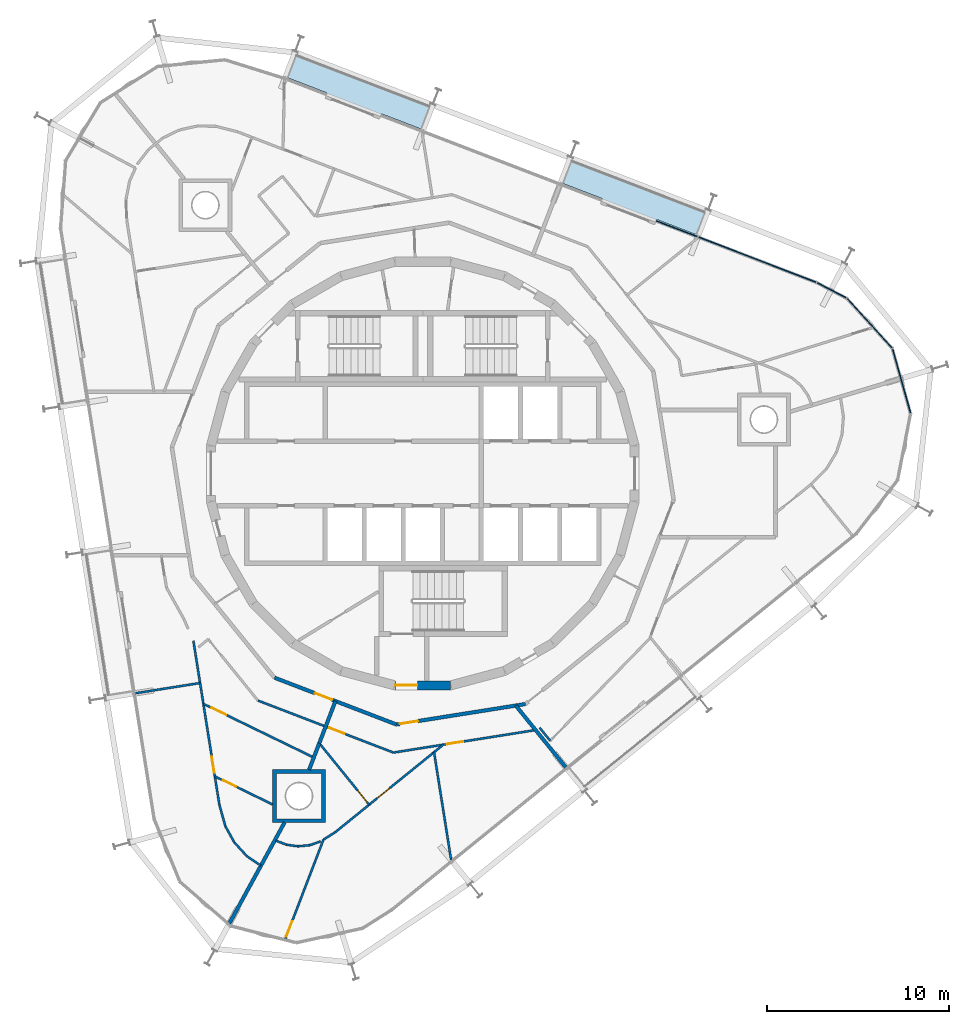
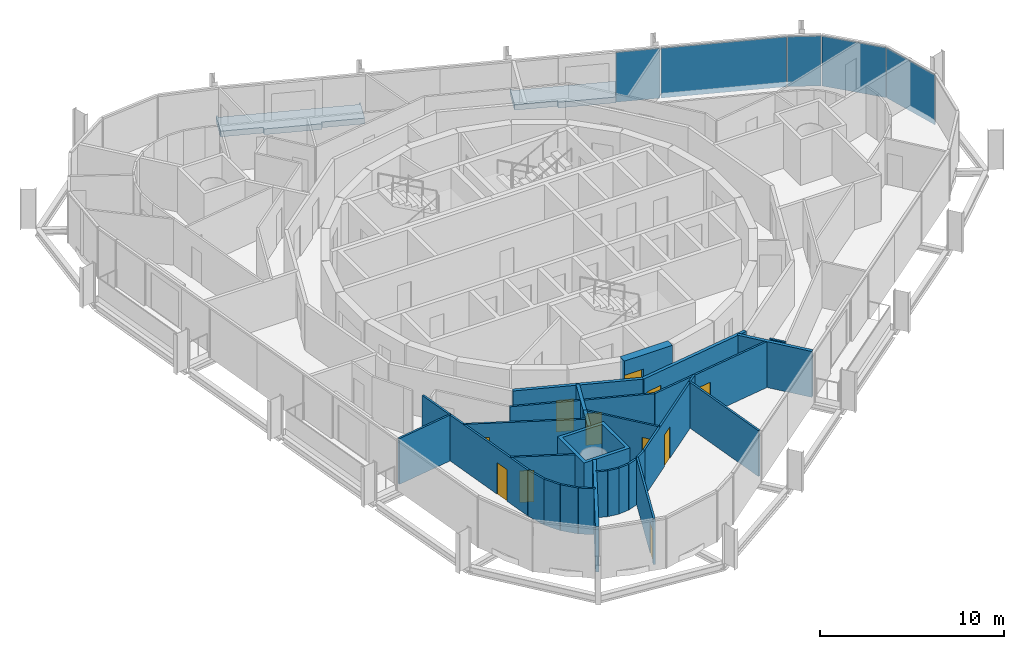
# One storey, part 11 of 17: 28 walls, 11 doors, 5 plates, 2 slabs, 11 openings, 2 elements without a shape of their own.
"""IFC4 building model written with IfcOpenShell, lengths in metres."""

import ifcopenshell
import ifcopenshell.guid

model = None  # the IFC model being written
_history = None  # IfcOwnerHistory: only IFC2X3 demands one
_inside = {}  # id of a spatial element -> (the spatial element, [elements in it])
_under = {}  # id of a project, library or spatial element -> (it, [spatial elements below it])
_declared = {}  # id of a project -> (the project, [libraries it declares])
_typed = {}  # id of a type object -> (the type object, [elements of that type])
_made_of = {}  # id of a material, layer set ... -> (it, [elements and type objects made of it])


def new_model(schema):
    """Start an empty IFC model of exactly this schema.

    Asked for "IFC4X3", IfcOpenShell would pick the latest addendum, in which some entities
    have other attributes; the version numbers below select the first issue.
    IFC2X3 requires an IfcOwnerHistory on every rooted entity: one is made here for all.
    """
    global model, _history
    if schema == "IFC4X3":
        model = ifcopenshell.file(schema_version=(4, 3, 0, 0))
    else:
        model = ifcopenshell.file(schema=schema)
    _inside.clear()
    _under.clear()
    _declared.clear()
    _typed.clear()
    _made_of.clear()
    _history = None
    if model.schema == "IFC2X3":
        org = make("IfcOrganization", Name="unknown")
        user = make(
            "IfcPersonAndOrganization",
            ThePerson=make("IfcPerson", FamilyName="unknown"),
            TheOrganization=org,
        )
        app = make(
            "IfcApplication",
            ApplicationDeveloper=org,
            Version="unknown",
            ApplicationFullName="unknown",
            ApplicationIdentifier="unknown",
        )
        _history = make(
            "IfcOwnerHistory",
            OwningUser=user,
            OwningApplication=app,
            ChangeAction="ADDED",
            CreationDate=0,
        )
    return model


def make(cls, **values):
    """One entity of the class cls with the attributes given. An attribute that is None is left unset."""
    return model.create_entity(
        cls, **{name: value for name, value in values.items() if value is not None}
    )


def rooted(cls, **values):
    """An entity with a GlobalId (a new one), such as an element, a storey or a relation."""
    return make(cls, GlobalId=ifcopenshell.guid.new(), OwnerHistory=_history, **values)


def si_unit(unit_type, name, prefix=None):
    """IfcSIUnit, for example si_unit("LENGTHUNIT", "METRE", prefix="MILLI")."""
    return make("IfcSIUnit", UnitType=unit_type, Prefix=prefix, Name=name)


def assignment(units):
    """IfcUnitAssignment: the units of a project."""
    return None if units is None else make("IfcUnitAssignment", Units=units)


def point(xyz):
    """IfcCartesianPoint."""
    return None if xyz is None else make("IfcCartesianPoint", Coordinates=xyz)


def direction(xyz):
    """IfcDirection."""
    return None if xyz is None else make("IfcDirection", DirectionRatios=xyz)


def frame(location, z_axis=None, x_axis=None):
    """IfcAxis2Placement3D, a coordinate frame: its origin and axes. An axis left out is left unset."""
    return make(
        "IfcAxis2Placement3D",
        Location=point(location),
        Axis=direction(z_axis),
        RefDirection=direction(x_axis),
    )


def frame_2d(location, x_axis=None):
    """IfcAxis2Placement2D, a coordinate frame in the plane: its origin and x axis."""
    return make(
        "IfcAxis2Placement2D", Location=point(location), RefDirection=direction(x_axis)
    )


def origin():
    """The frame at (0, 0, 0) with its axes left unset."""
    return frame((0.0, 0.0, 0.0))


def origin_2d():
    """The frame at (0, 0) in the plane with its x axis left unset."""
    return frame_2d((0.0, 0.0))


def place(relative_to, where):
    """IfcLocalPlacement: puts the frame where relative to a parent placement (None: the world)."""
    return make(
        "IfcLocalPlacement", PlacementRelTo=relative_to, RelativePlacement=where
    )


def context(
    kind, dimensions, precision=None, world=None, true_north=None, identifier=None
):
    """IfcGeometricRepresentationContext, for example the 3D "Model" context."""
    return make(
        "IfcGeometricRepresentationContext",
        ContextIdentifier=identifier,
        ContextType=kind,
        CoordinateSpaceDimension=dimensions,
        Precision=precision,
        WorldCoordinateSystem=world,
        TrueNorth=true_north,
    )


def subcontext(parent, identifier, kind, view, scale=None):
    """IfcGeometricRepresentationSubContext, for example "Body" below "Model"."""
    return make(
        "IfcGeometricRepresentationSubContext",
        ContextIdentifier=identifier,
        ContextType=kind,
        ParentContext=parent,
        TargetScale=scale,
        TargetView=view,
    )


def project(units=None, contexts=None):
    """IfcProject with its units and contexts."""
    return rooted(
        "IfcProject",
        Name="project",
        RepresentationContexts=contexts,
        UnitsInContext=assignment(units),
    )


def spatial(cls, under=None, at=None, **own):
    """A site, building, storey or space (cls), placed at a placement, below another one or the project."""
    s = rooted(cls, ObjectPlacement=at, **own)
    if under is not None:
        _under.setdefault(under.id(), (under, []))[1].append(s)
    return s


def polyline(points):
    """IfcPolyline through the points."""
    return make("IfcPolyline", Points=[point(p) for p in points])


def profile(cls, at=None, kind="AREA", **sizes):
    """A parametric profile (cls). Its sizes go by their IFC names, for example OverallWidth=200.0."""
    return make(cls, ProfileType=kind, Position=at, **sizes)


def rectangle(**sizes):
    """IfcRectangleProfileDef."""
    return profile("IfcRectangleProfileDef", **sizes)


def outline(outer, holes=None, kind="AREA"):
    """IfcArbitraryClosedProfileDef: a profile drawn as a closed curve; with holes, ...WithVoids."""
    if holes is None:
        return make("IfcArbitraryClosedProfileDef", ProfileType=kind, OuterCurve=outer)
    return make(
        "IfcArbitraryProfileDefWithVoids",
        ProfileType=kind,
        OuterCurve=outer,
        InnerCurves=holes,
    )


def extrude(swept, where, along, depth):
    """IfcExtrudedAreaSolid: the profile swept, set in the frame where, extruded along a direction by depth."""
    return make(
        "IfcExtrudedAreaSolid",
        SweptArea=swept,
        Position=where,
        ExtrudedDirection=direction(along),
        Depth=depth,
    )


def shape(context_of_items, identifier, shape_type, items):
    """IfcShapeRepresentation: the items that make up one representation, for example the "Body"."""
    return make(
        "IfcShapeRepresentation",
        ContextOfItems=context_of_items,
        RepresentationIdentifier=identifier,
        RepresentationType=shape_type,
        Items=items,
    )


def material(Name=None, Category=None):
    """IfcMaterial."""
    return make("IfcMaterial", Name=Name, Category=Category)


def layer(
    of_material, thickness, ventilated=None, Name=None, Category=None, Priority=None
):
    """IfcMaterialLayer: one layer of a wall or slab, of a material (None: an air gap)."""
    return make(
        "IfcMaterialLayer",
        Material=of_material,
        LayerThickness=thickness,
        IsVentilated=ventilated,
        Name=Name,
        Category=Category,
        Priority=Priority,
    )


def layer_set(layers, Name=None):
    """IfcMaterialLayerSet."""
    return make("IfcMaterialLayerSet", MaterialLayers=layers, LayerSetName=Name)


def made_of(thing, what):
    """Note that an element or type object is made of a material, layer set ...; save() writes the relation."""
    if what is not None:
        _made_of.setdefault(what.id(), (what, []))[1].append(thing)
    return thing


def type_object(cls, material=None, **own):
    """A type object (cls), such as IfcWallType, which elements share."""
    return made_of(rooted(cls, **own), material)


def element(
    cls,
    number,
    at=None,
    inside=None,
    cuts=None,
    type_object=None,
    material=None,
    context=None,
    identifier="Body",
    shape_type=None,
    held_by="IfcProductDefinitionShape",
    body=None,
    shapes=None,
    **own,
):
    """One element of the class cls, such as IfcWall. Its Tag is "e" and its number.

    at: its placement. inside: the storey or other place that contains it. cuts: it is an
    opening in that element (IfcRelVoidsElement). A single representation is given by context,
    identifier, shape_type and body (its items); several are given by shapes. held_by: the class
    of the entity that holds the representations. save() writes the other relations.
    """
    e = rooted(cls, Tag="e%d" % number, ObjectPlacement=at, **own)
    if body is not None:
        shapes = [shape(context, identifier, shape_type, body)]
    if shapes is not None:
        e.Representation = make(held_by, Representations=shapes)
    if inside is not None:
        _inside.setdefault(inside.id(), (inside, []))[1].append(e)
    if cuts is not None:
        rooted(
            "IfcRelVoidsElement", RelatingBuildingElement=cuts, RelatedOpeningElement=e
        )
    if type_object is not None:
        _typed.setdefault(type_object.id(), (type_object, []))[1].append(e)
    return made_of(e, material)


def fill(opening, filler):
    """IfcRelFillsElement: the door or window that sits in an opening."""
    return rooted(
        "IfcRelFillsElement",
        RelatingOpeningElement=opening,
        RelatedBuildingElement=filler,
    )


def aggregate(whole, parts):
    """IfcRelAggregates: a whole, such as a stair, and the parts it consists of."""
    return rooted("IfcRelAggregates", RelatingObject=whole, RelatedObjects=parts)


def save(model, path):
    """Write the relations noted so far, then the file.

    IfcRelAggregates (storeys below a building ...), IfcRelContainedInSpatialStructure (elements
    in a storey), IfcRelDefinesByType, IfcRelAssociatesMaterial and IfcRelDeclares: one each for
    every whole, place, type object, material and project.
    """
    for whole, parts in _under.values():
        aggregate(whole, parts)
    for where, things in _inside.values():
        rooted(
            "IfcRelContainedInSpatialStructure",
            RelatedElements=things,
            RelatingStructure=where,
        )
    for kind, things in _typed.values():
        rooted("IfcRelDefinesByType", RelatedObjects=things, RelatingType=kind)
    for what, things in _made_of.values():
        rooted("IfcRelAssociatesMaterial", RelatedObjects=things, RelatingMaterial=what)
    for by, libraries in _declared.values():
        rooted("IfcRelDeclares", RelatingContext=by, RelatedDefinitions=libraries)
    model.write(path)


model = new_model("IFC4")

# Units and contexts
model_context = context("Model", 3, precision=1e-05, world=origin(), true_north=direction((0.0, 1.0)))
body_context = subcontext(model_context, "Body", "Model", "MODEL_VIEW")
ifc_project = project(units=[si_unit("LENGTHUNIT", "METRE"), si_unit("AREAUNIT", "SQUARE_METRE"), si_unit("VOLUMEUNIT", "CUBIC_METRE"), si_unit("PLANEANGLEUNIT", "RADIAN"), si_unit("MASSUNIT", "GRAM", prefix="KILO")], contexts=[model_context])

# Site, building, storey
site_placement = place(None, origin())
site = spatial("IfcSite", under=ifc_project, at=site_placement, CompositionType="ELEMENT")
building_placement = place(site_placement, origin())
building = spatial("IfcBuilding", under=site, at=building_placement, Name="Spindle Arch Residences", CompositionType="ELEMENT")
storey_placement = place(building_placement, frame((0.0, 0.0, 287.89990234375)))
storey = spatial("IfcBuildingStorey", under=building, at=storey_placement, Name="L74", CompositionType="ELEMENT", Elevation=287.89990234375)

# Slabs
ifc_material_1 = material(Name="Concrete C40/50", Category="concrete")
ifc_layer_1 = layer(ifc_material_1, 0.3798828125)
ifc_layer_set_1 = layer_set([ifc_layer_1], Name="Balcony slab 380")
slab_type = type_object("IfcSlabType", Name="Balcony slab 380", PredefinedType="FLOOR", material=ifc_layer_set_1)
slab_1_placement = place(storey_placement, frame((0.0, 0.0, -0.3798828125)))
element("IfcSlab", 1, at=slab_1_placement, inside=storey, type_object=slab_type, Name="Balcony L74 bay 6", PredefinedType="FLOOR", context=body_context, shape_type="SweptSolid", body=[
    extrude(outline(polyline([(15.6220703125, 14.511962890625), (15.552001953125, 14.538818359375), (15.498291015625, 14.39892578125), (8.209228515625, 17.19677734375), (8.26318359375, 17.3369140625), (8.193115234375, 17.36376953125), (7.6591796875, 15.97265625), (9.8798828125, 15.120361328125), (9.822509765625, 14.970947265625), (12.81005859375, 13.823974609375), (12.867431640625, 13.973388671875), (15.088134765625, 13.12109375), (15.6220703125, 14.511962890625)])), origin(), (0.0, 0.0, 1.0), 0.3798828125),
])
slab_2_placement = place(storey_placement, frame((0.0, 0.0, -0.3798828125)))
element("IfcSlab", 2, at=slab_2_placement, inside=storey, type_object=slab_type, Name="Balcony L74 bay 8", PredefinedType="FLOOR", context=body_context, shape_type="SweptSolid", body=[
    extrude(outline(polyline([(0.48388671875, 20.322998046875), (0.413818359375, 20.349853515625), (0.360107421875, 20.2099609375), (-6.928955078125, 23.0078125), (-6.875, 23.14794921875), (-6.945068359375, 23.1748046875), (-7.47900390625, 21.78369140625), (-5.25830078125, 20.93115234375), (-5.315673828125, 20.781982421875), (-2.328125, 19.635009765625), (-2.270751953125, 19.784423828125), (-0.050048828125, 18.931884765625), (0.48388671875, 20.322998046875)])), origin(), (0.0, 0.0, 1.0), 0.3798828125),
])

# Curtain wall, plates
ifc_material_2 = material(Name="Aluminium bronze unitised frame with tinted glass", Category="aluminium")
ifc_layer_2 = layer(ifc_material_2, 0.159912109375)
ifc_layer_set_2 = layer_set([ifc_layer_2], Name="CW-D corner wall on the fillet arcs")
curtain_wall_type_1 = type_object("IfcCurtainWallType", Name="CW-D corner wall on the fillet arcs", PredefinedType="NOTDEFINED", material=ifc_layer_set_2)
curtain_wall_1_placement = place(storey_placement, origin())
curtain_wall_1 = element("IfcCurtainWall", 3, at=curtain_wall_1_placement, inside=storey, type_object=curtain_wall_type_1, Name="CW-D L74 run 1", PredefinedType="NOTDEFINED")
ifc_material_3 = material(Name="Tinted double glazing over aluminium faced non-combustible spandrel zone (K0)", Category="aluminium")
ifc_layer_3 = layer(ifc_material_3, 0.06005859375)
ifc_layer_set_3 = layer_set([ifc_layer_3], Name="Unitised glass panel with E 60 spandrel zone")
plate_type = type_object("IfcPlateType", Name="Unitised glass panel with E 60 spandrel zone", PredefinedType="CURTAIN_PANEL", material=ifc_layer_set_3)
plate_1_placement = place(storey_placement, frame((26.32958984375, 5.09423828125, -0.3798828125), z_axis=(0.0, 0.0, 1.0), x_axis=(-0.270040328007, 0.962849012696, 0.0)))
plate_1 = element("IfcPlate", 4, at=plate_1_placement, type_object=plate_type, Name="CW-D unit 03", PredefinedType="CURTAIN_PANEL", context=body_context, shape_type="SweptSolid", body=[
    extrude(rectangle(XDim=3.666748046875, YDim=0.06005859375, at=origin_2d()), origin(), (0.0, 0.0, 1.0), 3.31005859375),
])
plate_2_placement = place(storey_placement, frame((24.571533203125, 8.265869140625, -0.3798828125), z_axis=(0.0, 0.0, 1.0), x_axis=(-0.673442702134, 0.73923942464, 0.0)))
plate_2 = element("IfcPlate", 5, at=plate_2_placement, type_object=plate_type, Name="CW-D unit 04", PredefinedType="CURTAIN_PANEL", context=body_context, shape_type="SweptSolid", body=[
    extrude(rectangle(XDim=3.666748046875, YDim=0.06005859375, at=origin_2d()), origin(), (0.0, 0.0, 1.0), 3.31005859375),
])
plate_3_placement = place(storey_placement, frame((22.48583984375, 10.078857421875, -0.3798828125), z_axis=(0.0, 0.0, 1.0), x_axis=(-0.885663912754, 0.464326860783, 0.0)))
plate_3 = element("IfcPlate", 6, at=plate_3_placement, type_object=plate_type, Name="CW-D unit 05", PredefinedType="CURTAIN_PANEL", context=body_context, shape_type="SweptSolid", body=[
    extrude(rectangle(XDim=1.816162109375, YDim=0.06005859375, at=origin_2d()), origin(), (0.0, 0.0, 1.0), 3.31005859375),
])
plate_4_placement = place(storey_placement, frame((18.392333984375, 11.76708984375, -0.3798828125), z_axis=(0.0, 0.0, 1.0), x_axis=(-0.933580426497, 0.358367949545, 0.0)))
plate_4 = element("IfcPlate", 7, at=plate_4_placement, type_object=plate_type, Name="CW-D unit 06", PredefinedType="CURTAIN_PANEL", context=body_context, shape_type="SweptSolid", body=[
    extrude(rectangle(XDim=6.9296875, YDim=0.06005859375, at=origin_2d()), origin(), (0.0, 0.0, 1.0), 3.31005859375),
])
aggregate(curtain_wall_1, [plate_1, plate_2, plate_3, plate_4])

# Curtain wall, plate
ifc_material_4 = material(Name="Aluminium bronze unitised frame with tinted glass", Category="aluminium")
ifc_layer_4 = layer(ifc_material_4, 0.159912109375)
ifc_layer_set_4 = layer_set([ifc_layer_4], Name="CW-C typical residential unitised wall")
curtain_wall_type_2 = type_object("IfcCurtainWallType", Name="CW-C typical residential unitised wall", PredefinedType="NOTDEFINED", material=ifc_layer_set_4)
curtain_wall_2_placement = place(storey_placement, origin())
curtain_wall_2 = element("IfcCurtainWall", 8, at=curtain_wall_2_placement, inside=storey, type_object=curtain_wall_type_2, Name="CW-C L74 run 2", PredefinedType="NOTDEFINED")
plate_5_placement = place(storey_placement, frame((13.969970703125, 13.46435546875, -0.3798828125), z_axis=(0.0, 0.0, 1.0), x_axis=(-0.933580426497, 0.358367949545, 0.0)))
plate_5 = element("IfcPlate", 9, at=plate_5_placement, type_object=plate_type, Name="CW-C unit 05L", PredefinedType="CURTAIN_PANEL", context=body_context, shape_type="SweptSolid", body=[
    extrude(rectangle(XDim=2.423828125, YDim=0.06005859375, at=origin_2d()), origin(), (0.0, 0.0, 1.0), 3.31005859375),
])
aggregate(curtain_wall_2, [plate_5])

# Wall, opening, door
ifc_material_5 = material(Name="Concrete C50/60", Category="concrete")
ifc_layer_5 = layer(ifc_material_5, 0.5)
ifc_layer_set_5 = layer_set([ifc_layer_5], Name="Core outline wall 500")
wall_type_1 = type_object("IfcWallType", Name="Core outline wall 500", PredefinedType="SHEAR", material=ifc_layer_set_5)
wall_1_placement = place(storey_placement, frame((-1.516357421875, -11.647216796875, 0.0), z_axis=(0.0, 0.0, 1.0), x_axis=(1.0, 0.0, 0.0)))
wall_1 = element("IfcWall", 10, at=wall_1_placement, inside=storey, type_object=wall_type_1, Name="Core outline wall 24", PredefinedType="SHEAR", context=body_context, shape_type="SweptSolid", body=[
    extrude(rectangle(XDim=3.03271484375, YDim=0.5, at=frame_2d((1.516357421875, 0.0))), origin(), (0.0, 0.0, 1.0), 3.050048828125),
])
opening_1_placement = place(wall_1_placement, frame((0.016357421875, 0.0, 0.0)))
opening_1 = element("IfcOpeningElement", 11, at=opening_1_placement, cuts=wall_1, Name="Opening R7C1-AD03", PredefinedType="OPENING", context=body_context, shape_type="SweptSolid", body=[
    extrude(rectangle(XDim=1.199951171875, YDim=2.10009765625, at=frame_2d((0.60009765625, 1.050048828125))), frame((0.0, 0.260009765625, 0.0), z_axis=(0.0, -1.0, 0.0), x_axis=(1.0, 0.0, 0.0)), (0.0, 0.0, 1.0), 0.52001953125),
])
ifc_material_6 = material(Name="Steel, fire-resisting door", Category="steel")
door_type_1 = type_object("IfcDoorType", Name="Stair airlock door 1200x2100", OperationType="SINGLE_SWING_LEFT", PredefinedType="DOOR", material=ifc_material_6)
door_1_placement = place(opening_1_placement, origin())
door_1 = element("IfcDoor", 12, at=door_1_placement, inside=storey, type_object=door_type_1, Name="Stair airlock door R7C1-AD03", OperationType="SINGLE_SWING_RIGHT", OverallHeight=2.10009765625, OverallWidth=1.199951171875, PredefinedType="DOOR", context=body_context, shape_type="SweptSolid", body=[
    extrude(rectangle(XDim=1.199951171875, YDim=2.10009765625, at=frame_2d((0.60009765625, 1.050048828125))), frame((0.0, 0.02490234375, 0.0), z_axis=(0.0, -1.0, 0.0), x_axis=(1.0, 0.0, 0.0)), (0.0, 0.0, 1.0), 0.050048828125),
])
fill(opening_1, door_1)

ifc_material_7 = material(Name="Calcium silicate block, plastered")
ifc_layer_6 = layer(ifc_material_7, 0.199951171875)
ifc_layer_set_6 = layer_set([ifc_layer_6], Name="Corridor wall 200")
wall_type_2 = type_object("IfcWallType", Name="Corridor wall 200", PredefinedType="STANDARD", material=ifc_layer_set_6)
wall_2_placement = place(storey_placement, frame((-8.154296875, -11.223388671875, 0.0), z_axis=(0.0, 0.0, 1.0), x_axis=(0.93359073609, -0.358341090983, 0.0)))
wall_2 = element("IfcWall", 13, at=wall_2_placement, inside=storey, type_object=wall_type_2, Name="Corridor wall R7C1-W013", PredefinedType="STANDARD", context=body_context, shape_type="SweptSolid", body=[
    extrude(rectangle(XDim=7.180908203125, YDim=0.199951171875, at=frame_2d((3.59033203125, 0.0))), origin(), (0.0, 0.0, 1.0), 3.050048828125),
])
opening_2_placement = place(wall_2_placement, frame((2.390380859375, 0.0, 0.0)))
opening_2 = element("IfcOpeningElement", 14, at=opening_2_placement, cuts=wall_2, Name="Opening R7C1-FD04", PredefinedType="OPENING", context=body_context, shape_type="SweptSolid", body=[
    extrude(rectangle(XDim=1.0, YDim=2.10009765625, at=frame_2d((0.5, 1.050048828125))), frame((0.0, 0.10986328125, 0.0), z_axis=(0.0, -1.0, 0.0), x_axis=(1.0, 0.0, 0.0)), (0.0, 0.0, 1.0), 0.219970703125),
])
ifc_material_8 = material(Name="Timber, fire-resisting door set", Category="wood")
door_type_2 = type_object("IfcDoorType", Name="Flat entrance door 1000x2100", OperationType="NOTDEFINED", PredefinedType="DOOR", material=ifc_material_8)
door_2_placement = place(opening_2_placement, origin())
door_2 = element("IfcDoor", 15, at=door_2_placement, inside=storey, type_object=door_type_2, Name="Flat entrance door R7C1-FD04", OperationType="SINGLE_SWING_RIGHT", OverallHeight=2.10009765625, OverallWidth=1.0, PredefinedType="DOOR", context=body_context, shape_type="SweptSolid", body=[
    extrude(rectangle(XDim=1.0, YDim=2.10009765625, at=frame_2d((0.5, 1.050048828125))), frame((0.0, 0.02490234375, 0.0), z_axis=(0.0, -1.0, 0.0), x_axis=(1.0, 0.0, 0.0)), (0.0, 0.0, 1.0), 0.050048828125),
])
fill(opening_2, door_2)

wall_3_placement = place(storey_placement, frame((-1.4501953125, -13.796630859375, 0.0), z_axis=(0.0, 0.0, 1.0), x_axis=(0.987690361611, 0.156421704315, 0.0)))
wall_3 = element("IfcWall", 16, at=wall_3_placement, inside=storey, type_object=wall_type_2, Name="Corridor wall R7C1-W014", PredefinedType="STANDARD", context=body_context, shape_type="SweptSolid", body=[
    extrude(rectangle(XDim=7.18115234375, YDim=0.199951171875, at=frame_2d((3.590576171875, 0.0))), origin(), (0.0, 0.0, 1.0), 3.050048828125),
])
opening_3_placement = place(wall_3_placement, frame((0.199951171875, 0.0, 0.0)))
opening_3 = element("IfcOpeningElement", 17, at=opening_3_placement, cuts=wall_3, Name="Opening R7C1-FD05", PredefinedType="OPENING", context=body_context, shape_type="SweptSolid", body=[
    extrude(rectangle(XDim=1.0, YDim=2.10009765625, at=frame_2d((0.5, 1.050048828125))), frame((0.0, 0.10986328125, 0.0), z_axis=(0.0, -1.0, 0.0), x_axis=(1.0, 0.0, 0.0)), (0.0, 0.0, 1.0), 0.219970703125),
])
door_3_placement = place(opening_3_placement, origin())
door_3 = element("IfcDoor", 18, at=door_3_placement, inside=storey, type_object=door_type_2, Name="Flat entrance door R7C1-FD05", OperationType="SINGLE_SWING_LEFT", OverallHeight=2.10009765625, OverallWidth=1.0, PredefinedType="DOOR", context=body_context, shape_type="SweptSolid", body=[
    extrude(rectangle(XDim=1.0, YDim=2.10009765625, at=frame_2d((0.5, 1.050048828125))), frame((0.0, 0.02490234375, 0.0), z_axis=(0.0, -1.0, 0.0), x_axis=(1.0, 0.0, 0.0)), (0.0, 0.0, 1.0), 0.050048828125),
])
fill(opening_3, door_3)

ifc_material_9 = material(Name="Plasterboard on steel studs", Category="steel")
ifc_layer_7 = layer(ifc_material_9, 0.1201171875)
ifc_layer_set_7 = layer_set([ifc_layer_7], Name="Flat partition 120")
wall_type_3 = type_object("IfcWallType", Name="Flat partition 120", PredefinedType="PARTITIONING", material=ifc_layer_set_7)
wall_4_placement = place(storey_placement, frame((-9.06689453125, -12.4794921875, 0.0), z_axis=(0.0, 0.0, 1.0), x_axis=(0.933579449035, -0.358370495911, 0.0)))
wall_4 = element("IfcWall", 19, at=wall_4_placement, inside=storey, type_object=wall_type_3, Name="Flat partition R7C1-W072", PredefinedType="PARTITIONING", context=body_context, shape_type="SweptSolid", body=[
    extrude(rectangle(XDim=7.98486328125, YDim=0.1201171875, at=frame_2d((3.992431640625, 0.0))), origin(), (0.0, 0.0, 1.0), 3.050048828125),
])
opening_4_placement = place(wall_4_placement, frame((4.1923828125, 0.0, 0.0)))
opening_4 = element("IfcOpeningElement", 20, at=opening_4_placement, cuts=wall_4, Name="Opening R7C1-ID17", PredefinedType="OPENING", context=body_context, shape_type="SweptSolid", body=[
    extrude(rectangle(XDim=0.89990234375, YDim=2.10009765625, at=frame_2d((0.449951171875, 1.050048828125))), frame((0.0, 0.070068359375, 0.0), z_axis=(0.0, -1.0, 0.0), x_axis=(1.0, 0.0, 0.0)), (0.0, 0.0, 1.0), 0.14013671875),
])
ifc_material_10 = material(Name="Timber door set", Category="wood")
door_type_3 = type_object("IfcDoorType", Name="Room door 900x2100", OperationType="NOTDEFINED", PredefinedType="DOOR", material=ifc_material_10)
door_4_placement = place(opening_4_placement, origin())
door_4 = element("IfcDoor", 21, at=door_4_placement, inside=storey, type_object=door_type_3, Name="Room door R7C1-ID17", OperationType="SINGLE_SWING_RIGHT", OverallHeight=2.10009765625, OverallWidth=0.89990234375, PredefinedType="DOOR", context=body_context, shape_type="SweptSolid", body=[
    extrude(rectangle(XDim=0.89990234375, YDim=2.10009765625, at=frame_2d((0.449951171875, 1.050048828125))), frame((0.0, 0.02490234375, 0.0), z_axis=(0.0, -1.0, 0.0), x_axis=(1.0, 0.0, 0.0)), (0.0, 0.0, 1.0), 0.050048828125),
])
fill(opening_4, door_4)

wall_5_placement = place(storey_placement, frame((-11.185302734375, -18.212890625, 0.0), z_axis=(0.0, 0.0, 1.0), x_axis=(-0.15642108221, 0.987690460134, 0.0)))
wall_5 = element("IfcWall", 22, at=wall_5_placement, inside=storey, type_object=wall_type_3, Name="Flat partition R7C1-W073", PredefinedType="PARTITIONING", context=body_context, shape_type="SweptSolid", body=[
    extrude(rectangle(XDim=9.132080078125, YDim=0.1201171875, at=frame_2d((4.56591796875, 0.0))), origin(), (0.0, 0.0, 1.0), 3.050048828125),
])
opening_5_placement = place(wall_5_placement, frame((1.781005859375, 0.0, 0.0)))
opening_5 = element("IfcOpeningElement", 23, at=opening_5_placement, cuts=wall_5, Name="Opening R7C1-ID16", PredefinedType="OPENING", context=body_context, shape_type="SweptSolid", body=[
    extrude(rectangle(XDim=0.89990234375, YDim=2.10009765625, at=frame_2d((0.449951171875, 1.050048828125))), frame((0.0, 0.070068359375, 0.0), z_axis=(0.0, -1.0, 0.0), x_axis=(1.0, 0.0, 0.0)), (0.0, 0.0, 1.0), 0.14013671875),
])
door_5_placement = place(opening_5_placement, origin())
door_5 = element("IfcDoor", 24, at=door_5_placement, inside=storey, type_object=door_type_3, Name="Room door R7C1-ID16", OperationType="SINGLE_SWING_RIGHT", OverallHeight=2.10009765625, OverallWidth=0.89990234375, PredefinedType="DOOR", context=body_context, shape_type="SweptSolid", body=[
    extrude(rectangle(XDim=0.89990234375, YDim=2.10009765625, at=frame_2d((0.449951171875, 1.050048828125))), frame((0.0, 0.02490234375, 0.0), z_axis=(0.0, -1.0, 0.0), x_axis=(1.0, 0.0, 0.0)), (0.0, 0.0, 1.0), 0.050048828125),
])
fill(opening_5, door_5)

# Wall
wall_6_placement = place(storey_placement, frame((-15.801513671875, -12.07958984375, 0.0), z_axis=(0.0, 0.0, 1.0), x_axis=(0.987685312069, 0.156453585206, 0.0)))
element("IfcWall", 25, at=wall_6_placement, inside=storey, type_object=wall_type_3, Name="Flat partition R7C1-W074", PredefinedType="PARTITIONING", context=body_context, shape_type="SweptSolid", body=[
    extrude(rectangle(XDim=3.60009765625, YDim=0.1201171875, at=frame_2d((1.800048828125, 0.0))), origin(), (0.0, 0.0, 1.0), 3.050048828125),
])

# Wall, opening, door
wall_7_placement = place(storey_placement, frame((-12.064453125, -12.662109375, 0.0), z_axis=(0.0, 0.0, 1.0), x_axis=(0.899383852228, -0.437159794985, 0.0)))
wall_7 = element("IfcWall", 26, at=wall_7_placement, inside=storey, type_object=wall_type_3, Name="Flat partition R7C1-W075", PredefinedType="PARTITIONING", context=body_context, shape_type="SweptSolid", body=[
    extrude(rectangle(XDim=6.750244140625, YDim=0.1201171875, at=frame_2d((3.375, 0.0))), origin(), (0.0, 0.0, 1.0), 3.050048828125),
])
opening_6_placement = place(wall_7_placement, frame((0.5, 0.0, 0.0)))
opening_6 = element("IfcOpeningElement", 27, at=opening_6_placement, cuts=wall_7, Name="Opening R7C1-ID15", PredefinedType="OPENING", context=body_context, shape_type="SweptSolid", body=[
    extrude(rectangle(XDim=0.89990234375, YDim=2.10009765625, at=frame_2d((0.449951171875, 1.050048828125))), frame((0.0, 0.070068359375, 0.0), z_axis=(0.0, -1.0, 0.0), x_axis=(1.0, 0.0, 0.0)), (0.0, 0.0, 1.0), 0.14013671875),
])
door_6_placement = place(opening_6_placement, origin())
door_6 = element("IfcDoor", 28, at=door_6_placement, inside=storey, type_object=door_type_3, Name="Room door R7C1-ID15", OperationType="SINGLE_SWING_RIGHT", OverallHeight=2.10009765625, OverallWidth=0.89990234375, PredefinedType="DOOR", context=body_context, shape_type="SweptSolid", body=[
    extrude(rectangle(XDim=0.89990234375, YDim=2.10009765625, at=frame_2d((0.449951171875, 1.050048828125))), frame((0.0, 0.02490234375, 0.0), z_axis=(0.0, -1.0, 0.0), x_axis=(1.0, 0.0, 0.0)), (0.0, 0.0, 1.0), 0.050048828125),
])
fill(opening_6, door_6)

# Walls
wall_8_placement = place(storey_placement, frame((-8.901611328125, -21.563720703125, 0.0), z_axis=(0.0, 0.0, 1.0), x_axis=(-0.825676933813, 0.56414324508, 0.0)))
element("IfcWall", 29, at=wall_8_placement, inside=storey, type_object=wall_type_3, Name="Flat partition R7C1-W076", PredefinedType="PARTITIONING", context=body_context, shape_type="SweptSolid", body=[
    extrude(rectangle(XDim=0.939208984375, YDim=0.1201171875, at=frame_2d((0.4697265625, 0.0))), origin(), (0.0, 0.0, 1.0), 3.050048828125),
])
for number, where, z_axis, x_axis, name in (
    (30, (-9.677001953125, -21.033935546875, 0.0), (0.0, 0.0, 1.0), (-0.673545431899, 0.739145825374, 0.0), "Flat partition R7C1-W077"),
    (31, (-10.361328125, -20.282958984375, 0.0), (0.0, 0.0, 1.0), (-0.484867525198, 0.874587607394, 0.0), "Flat partition R7C1-W078"),
):
    element("IfcWall", number, at=place(storey_placement, frame(where, z_axis=z_axis, x_axis=x_axis)), inside=storey, type_object=wall_type_3, Name=name, PredefinedType="PARTITIONING", context=body_context, shape_type="SweptSolid", body=[
        extrude(rectangle(XDim=1.01611328125, YDim=0.1201171875, at=frame_2d((0.508056640625, 0.0))), origin(), (0.0, 0.0, 1.0), 3.050048828125),
    ])
wall_9_placement = place(storey_placement, frame((-10.85400390625, -19.394287109375, 0.0), z_axis=(0.0, 0.0, 1.0), x_axis=(-0.27001369034, 0.96285648309, 0.0)))
element("IfcWall", 32, at=wall_9_placement, inside=storey, type_object=wall_type_3, Name="Flat partition R7C1-W079", PredefinedType="PARTITIONING", context=body_context, shape_type="SweptSolid", body=[
    extrude(rectangle(XDim=1.22705078125, YDim=0.1201171875, at=frame_2d((0.613525390625, 0.0))), origin(), (0.0, 0.0, 1.0), 3.050048828125),
])

# Wall, opening, door
wall_10_placement = place(storey_placement, frame((-11.4326171875, -16.6513671875, 0.0), z_axis=(0.0, 0.0, 1.0), x_axis=(0.899390128806, -0.437146881731, 0.0)))
wall_10 = element("IfcWall", 33, at=wall_10_placement, inside=storey, type_object=wall_type_3, Name="Flat partition R7C1-W080", PredefinedType="PARTITIONING", context=body_context, shape_type="SweptSolid", body=[
    extrude(rectangle(XDim=3.53125, YDim=0.1201171875, at=frame_2d((1.765625, 0.0))), origin(), (0.0, 0.0, 1.0), 3.050048828125),
])
opening_7_placement = place(wall_10_placement, frame((0.5, 0.0, 0.0)))
opening_7 = element("IfcOpeningElement", 34, at=opening_7_placement, cuts=wall_10, Name="Opening R7C1-BD04", PredefinedType="OPENING", context=body_context, shape_type="SweptSolid", body=[
    extrude(rectangle(XDim=0.800048828125, YDim=2.10009765625, at=frame_2d((0.39990234375, 1.050048828125))), frame((0.0, 0.070068359375, 0.0), z_axis=(0.0, -1.0, 0.0), x_axis=(1.0, 0.0, 0.0)), (0.0, 0.0, 1.0), 0.14013671875),
])
ifc_material_11 = material(Name="Timber door set", Category="wood")
door_type_4 = type_object("IfcDoorType", Name="Bathroom door 800x2100", OperationType="NOTDEFINED", PredefinedType="DOOR", material=ifc_material_11)
door_7_placement = place(opening_7_placement, origin())
door_7 = element("IfcDoor", 35, at=door_7_placement, inside=storey, type_object=door_type_4, Name="Bathroom door R7C1-BD04", OperationType="SINGLE_SWING_RIGHT", OverallHeight=2.10009765625, OverallWidth=0.800048828125, PredefinedType="DOOR", context=body_context, shape_type="SweptSolid", body=[
    extrude(rectangle(XDim=0.800048828125, YDim=2.10009765625, at=frame_2d((0.39990234375, 1.050048828125))), frame((0.0, 0.02490234375, 0.0), z_axis=(0.0, -1.0, 0.0), x_axis=(1.0, 0.0, 0.0)), (0.0, 0.0, 1.0), 0.050048828125),
])
fill(opening_7, door_7)

wall_11_placement = place(storey_placement, frame((-1.6123046875, -15.341064453125, 0.0), z_axis=(0.0, 0.0, 1.0), x_axis=(0.987687560018, 0.15643939333, 0.0)))
wall_11 = element("IfcWall", 36, at=wall_11_placement, inside=storey, type_object=wall_type_3, Name="Flat partition R7C1-W081", PredefinedType="PARTITIONING", context=body_context, shape_type="SweptSolid", body=[
    extrude(rectangle(XDim=7.913818359375, YDim=0.1201171875, at=frame_2d((3.95703125, 0.0))), origin(), (0.0, 0.0, 1.0), 3.050048828125),
])
opening_8_placement = place(wall_11_placement, frame((2.97802734375, 0.0, 0.0)))
opening_8 = element("IfcOpeningElement", 37, at=opening_8_placement, cuts=wall_11, Name="Opening R7C1-ID18", PredefinedType="OPENING", context=body_context, shape_type="SweptSolid", body=[
    extrude(rectangle(XDim=0.89990234375, YDim=2.10009765625, at=frame_2d((0.449951171875, 1.050048828125))), frame((0.0, 0.070068359375, 0.0), z_axis=(0.0, -1.0, 0.0), x_axis=(1.0, 0.0, 0.0)), (0.0, 0.0, 1.0), 0.14013671875),
])
door_8_placement = place(opening_8_placement, origin())
door_8 = element("IfcDoor", 38, at=door_8_placement, inside=storey, type_object=door_type_3, Name="Room door R7C1-ID18", OperationType="SINGLE_SWING_LEFT", OverallHeight=2.10009765625, OverallWidth=0.89990234375, PredefinedType="DOOR", context=body_context, shape_type="SweptSolid", body=[
    extrude(rectangle(XDim=0.89990234375, YDim=2.10009765625, at=frame_2d((0.449951171875, 1.050048828125))), frame((0.0, 0.02490234375, 0.0), z_axis=(0.0, -1.0, 0.0), x_axis=(1.0, 0.0, 0.0)), (0.0, 0.0, 1.0), 0.050048828125),
])
fill(opening_8, door_8)

# Walls
wall_12_placement = place(storey_placement, frame((-5.609130859375, -20.223388671875, 0.0), z_axis=(0.0, 0.0, 1.0), x_axis=(-0.945401267449, -0.325908642882, 0.0)))
element("IfcWall", 39, at=wall_12_placement, inside=storey, type_object=wall_type_3, Name="Flat partition R7C1-W082", PredefinedType="PARTITIONING", context=body_context, shape_type="SweptSolid", body=[
    extrude(rectangle(XDim=0.64208984375, YDim=0.1201171875, at=frame_2d((0.321044921875, 0.0))), origin(), (0.0, 0.0, 1.0), 3.050048828125),
])
for number, where, z_axis, x_axis, name in (
    (40, (-6.216064453125, -20.4326171875, 0.0), (0.0, 0.0, 1.0), (-0.99513463391, -0.098524415207, 0.0), "Flat partition R7C1-W083"),
    (41, (-6.854736328125, -20.495849609375, 0.0), (0.0, 0.0, 1.0), (-0.991101230536, 0.133110295736, 0.0), "Flat partition R7C1-W084"),
    (42, (-7.490966796875, -20.410400390625, 0.0), (0.0, 0.0, 1.0), (-0.933453403881, 0.35869867965, 0.0), "Flat partition R7C1-W085"),
):
    element("IfcWall", number, at=place(storey_placement, frame(where, z_axis=z_axis, x_axis=x_axis)), inside=storey, type_object=wall_type_3, Name=name, PredefinedType="PARTITIONING", context=body_context, shape_type="SweptSolid", body=[
        extrude(rectangle(XDim=0.641845703125, YDim=0.1201171875, at=frame_2d((0.32080078125, 0.0))), origin(), (0.0, 0.0, 1.0), 3.050048828125),
    ])

# Wall, opening, door
wall_13_placement = place(storey_placement, frame((-7.57861328125, -25.6455078125, 0.0), z_axis=(0.0, 0.0, 1.0), x_axis=(0.358336526264, 0.933592488158, 0.0)))
wall_13 = element("IfcWall", 43, at=wall_13_placement, inside=storey, type_object=wall_type_3, Name="Flat partition R7C1-W086", PredefinedType="PARTITIONING", context=body_context, shape_type="SweptSolid", body=[
    extrude(rectangle(XDim=5.90771484375, YDim=0.1201171875, at=frame_2d((2.953857421875, 0.0))), origin(), (0.0, 0.0, 1.0), 3.050048828125),
])
opening_9_placement = place(wall_13_placement, frame((0.199951171875, 0.0, 0.0)))
opening_9 = element("IfcOpeningElement", 44, at=opening_9_placement, cuts=wall_13, Name="Opening R7C1-ID20", PredefinedType="OPENING", context=body_context, shape_type="SweptSolid", body=[
    extrude(rectangle(XDim=0.89990234375, YDim=2.10009765625, at=frame_2d((0.449951171875, 1.050048828125))), frame((0.0, 0.070068359375, 0.0), z_axis=(0.0, -1.0, 0.0), x_axis=(1.0, 0.0, 0.0)), (0.0, 0.0, 1.0), 0.14013671875),
])
door_9_placement = place(opening_9_placement, origin())
door_9 = element("IfcDoor", 45, at=door_9_placement, inside=storey, type_object=door_type_3, Name="Room door R7C1-ID20", OperationType="SINGLE_SWING_LEFT", OverallHeight=2.10009765625, OverallWidth=0.89990234375, PredefinedType="DOOR", context=body_context, shape_type="SweptSolid", body=[
    extrude(rectangle(XDim=0.89990234375, YDim=2.10009765625, at=frame_2d((0.449951171875, 1.050048828125))), frame((0.0, 0.02490234375, 0.0), z_axis=(0.0, -1.0, 0.0), x_axis=(1.0, 0.0, 0.0)), (0.0, 0.0, 1.0), 0.050048828125),
])
fill(opening_9, door_9)

wall_14_placement = place(storey_placement, frame((-2.9482421875, -18.210205078125, 0.0), z_axis=(0.0, 0.0, 1.0), x_axis=(-0.629330389268, 0.777137864953, 0.0)))
wall_14 = element("IfcWall", 46, at=wall_14_placement, inside=storey, type_object=wall_type_3, Name="Flat partition R7C1-W087", PredefinedType="PARTITIONING", context=body_context, shape_type="SweptSolid", body=[
    extrude(rectangle(XDim=4.357421875, YDim=0.1201171875, at=frame_2d((2.1787109375, 0.0))), origin(), (0.0, 0.0, 1.0), 3.050048828125),
])
opening_10_placement = place(wall_14_placement, frame((0.199951171875, 0.0, 0.0)))
opening_10 = element("IfcOpeningElement", 47, at=opening_10_placement, cuts=wall_14, Name="Opening R7C1-BD05", PredefinedType="OPENING", context=body_context, shape_type="SweptSolid", body=[
    extrude(rectangle(XDim=0.800048828125, YDim=2.10009765625, at=frame_2d((0.39990234375, 1.050048828125))), frame((0.0, 0.070068359375, 0.0), z_axis=(0.0, -1.0, 0.0), x_axis=(1.0, 0.0, 0.0)), (0.0, 0.0, 1.0), 0.14013671875),
])
door_10_placement = place(opening_10_placement, origin())
door_10 = element("IfcDoor", 48, at=door_10_placement, inside=storey, type_object=door_type_4, Name="Bathroom door R7C1-BD05", OperationType="SINGLE_SWING_LEFT", OverallHeight=2.10009765625, OverallWidth=0.800048828125, PredefinedType="DOOR", context=body_context, shape_type="SweptSolid", body=[
    extrude(rectangle(XDim=0.800048828125, YDim=2.10009765625, at=frame_2d((0.39990234375, 1.050048828125))), frame((0.0, 0.02490234375, 0.0), z_axis=(0.0, -1.0, 0.0), x_axis=(1.0, 0.0, 0.0)), (0.0, 0.0, 1.0), 0.050048828125),
])
fill(opening_10, door_10)

# Wall
wall_15_placement = place(storey_placement, frame((-5.461669921875, -20.130126953125, 0.0), z_axis=(0.0, 0.0, 1.0), x_axis=(0.84494764883, 0.534849016768, 0.0)))
element("IfcWall", 49, at=wall_15_placement, inside=storey, type_object=wall_type_3, Name="Flat partition R7C1-W088", PredefinedType="PARTITIONING", context=body_context, shape_type="SweptSolid", body=[
    extrude(rectangle(XDim=0.7724609375, YDim=0.1201171875, at=frame_2d((0.38623046875, 0.0))), origin(), (0.0, 0.0, 1.0), 3.050048828125),
])

# Wall, opening, door
wall_16_placement = place(storey_placement, frame((-4.80908203125, -19.717041015625, 0.0), z_axis=(0.0, 0.0, 1.0), x_axis=(0.777140730041, 0.629326851255, 0.0)))
wall_16 = element("IfcWall", 50, at=wall_16_placement, inside=storey, type_object=wall_type_3, Name="Flat partition R7C1-W089", PredefinedType="PARTITIONING", context=body_context, shape_type="SweptSolid", body=[
    extrude(rectangle(XDim=7.64404296875, YDim=0.1201171875, at=frame_2d((3.822021484375, 0.0))), origin(), (0.0, 0.0, 1.0), 3.050048828125),
])
opening_11_placement = place(wall_16_placement, frame((2.954345703125, 0.0, 0.0)))
opening_11 = element("IfcOpeningElement", 51, at=opening_11_placement, cuts=wall_16, Name="Opening R7C1-ID19", PredefinedType="OPENING", context=body_context, shape_type="SweptSolid", body=[
    extrude(rectangle(XDim=0.89990234375, YDim=2.10009765625, at=frame_2d((0.449951171875, 1.050048828125))), frame((0.0, 0.070068359375, 0.0), z_axis=(0.0, -1.0, 0.0), x_axis=(1.0, 0.0, 0.0)), (0.0, 0.0, 1.0), 0.14013671875),
])
door_11_placement = place(opening_11_placement, origin())
door_11 = element("IfcDoor", 52, at=door_11_placement, inside=storey, type_object=door_type_3, Name="Room door R7C1-ID19", OperationType="SINGLE_SWING_LEFT", OverallHeight=2.10009765625, OverallWidth=0.89990234375, PredefinedType="DOOR", context=body_context, shape_type="SweptSolid", body=[
    extrude(rectangle(XDim=0.89990234375, YDim=2.10009765625, at=frame_2d((0.449951171875, 1.050048828125))), frame((0.0, 0.02490234375, 0.0), z_axis=(0.0, -1.0, 0.0), x_axis=(1.0, 0.0, 0.0)), (0.0, 0.0, 1.0), 0.050048828125),
])
fill(opening_11, door_11)

# Walls
wall_17_placement = place(storey_placement, frame((1.559814453125, -21.250732421875, 0.0), z_axis=(0.0, 0.0, 1.0), x_axis=(-0.156421913213, 0.987690328528, 0.0)))
element("IfcWall", 53, at=wall_17_placement, inside=storey, type_object=wall_type_3, Name="Flat partition R7C1-W090", PredefinedType="PARTITIONING", context=body_context, shape_type="SweptSolid", body=[
    extrude(rectangle(XDim=6.00439453125, YDim=0.1201171875, at=frame_2d((3.002197265625, 0.0))), origin(), (0.0, 0.0, 1.0), 3.050048828125),
])
wall_18_placement = place(storey_placement, frame((6.423583984375, -13.97119140625, 0.0), z_axis=(0.0, 0.0, 1.0), x_axis=(0.629273936268, -0.777183577499, 0.0)))
element("IfcWall", 54, at=wall_18_placement, inside=storey, type_object=wall_type_3, Name="Flat partition R7C1-W091", PredefinedType="PARTITIONING", context=body_context, shape_type="SweptSolid", body=[
    extrude(rectangle(XDim=0.927734375, YDim=0.1201171875, at=frame_2d((0.4638671875, 0.0))), origin(), (0.0, 0.0, 1.0), 3.050048828125),
])
ifc_material_12 = material(Name="Calcium silicate block, plastered")
ifc_layer_8 = layer(ifc_material_12, 0.199951171875)
ifc_layer_set_8 = layer_set([ifc_layer_8], Name="Flat party wall 200")
wall_type_4 = type_object("IfcWallType", Name="Flat party wall 200", PredefinedType="STANDARD", material=ifc_layer_set_8)
wall_19_placement = place(storey_placement, frame((-5.6904296875, -14.823974609375, 0.0), z_axis=(0.0, 0.0, 1.0), x_axis=(0.358345342952, 0.933589104041, 0.0)))
element("IfcWall", 55, at=wall_19_placement, inside=storey, type_object=wall_type_4, Name="Flat party wall R7C1-W027", PredefinedType="STANDARD", context=body_context, shape_type="SweptSolid", body=[
    extrude(rectangle(XDim=2.478515625, YDim=0.199951171875, at=frame_2d((1.2392578125, 0.0))), origin(), (0.0, 0.0, 1.0), 3.050048828125),
])
wall_20_placement = place(storey_placement, frame((-6.25, -16.28173828125, 0.0), z_axis=(0.0, 0.0, 1.0), x_axis=(0.358360842469, 0.933583154617, 0.0)))
element("IfcWall", 56, at=wall_20_placement, inside=storey, type_object=wall_type_4, Name="Flat party wall R7C1-W028", PredefinedType="STANDARD", context=body_context, shape_type="SweptSolid", body=[
    extrude(rectangle(XDim=1.5615234375, YDim=0.199951171875, at=frame_2d((0.78076171875, 0.0))), origin(), (0.0, 0.0, 1.0), 3.050048828125),
])
wall_21_placement = place(storey_placement, frame((-10.636962890625, -24.738037109375, 0.0), z_axis=(0.0, 0.0, 1.0), x_axis=(0.479683887596, 0.877441375808, 0.0)))
element("IfcWall", 57, at=wall_21_placement, inside=storey, type_object=wall_type_4, Name="Flat party wall R7C1-W029", PredefinedType="STANDARD", context=body_context, shape_type="SweptSolid", body=[
    extrude(rectangle(XDim=6.33251953125, YDim=0.199951171875, at=frame_2d((3.166259765625, 0.0))), origin(), (0.0, 0.0, 1.0), 3.050048828125),
])
wall_22_placement = place(storey_placement, frame((7.860595703125, -16.1484375, 0.0), z_axis=(0.0, 0.0, 1.0), x_axis=(-0.629330189513, 0.777138026716, 0.0)))
element("IfcWall", 58, at=wall_22_placement, inside=storey, type_object=wall_type_4, Name="Flat party wall R7C1-W030", PredefinedType="STANDARD", context=body_context, shape_type="SweptSolid", body=[
    extrude(rectangle(XDim=4.364013671875, YDim=0.199951171875, at=frame_2d((2.18212890625, 0.0))), origin(), (0.0, 0.0, 1.0), 3.050048828125),
])
ifc_material_13 = material(Name="Calcium silicate block, plastered")
ifc_layer_9 = layer(ifc_material_13, 0.199951171875)
ifc_layer_set_9 = layer_set([ifc_layer_9], Name="Mega-column casing wall 200")
wall_type_5 = type_object("IfcWallType", Name="Mega-column casing wall 200", PredefinedType="STANDARD", material=ifc_layer_set_9)
wall_23_placement = place(storey_placement, origin())
element("IfcWall", 59, at=wall_23_placement, inside=storey, type_object=wall_type_5, Name="Mega-column casing wall R7C1-WC03", PredefinedType="STANDARD", context=body_context, shape_type="SweptSolid", body=[
    extrude(outline(polyline([(-5.356689453125, -16.28173828125), (-5.356689453125, -19.181640625), (-8.256591796875, -19.181640625), (-8.256591796875, -16.28173828125), (-5.356689453125, -16.28173828125)]), holes=[polyline([(-8.056640625, -18.981689453125), (-5.556640625, -18.981689453125), (-5.556640625, -16.481689453125), (-8.056640625, -16.481689453125), (-8.056640625, -18.981689453125)])]), origin(), (0.0, 0.0, 1.0), 3.050048828125),
])

save(model, "model.ifc")
